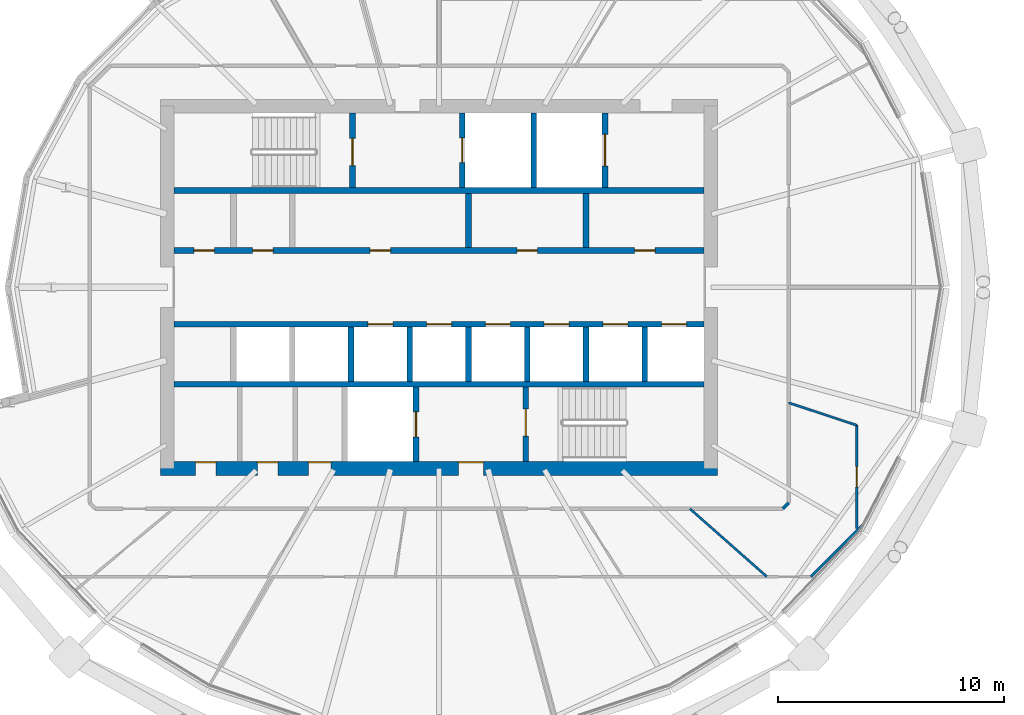
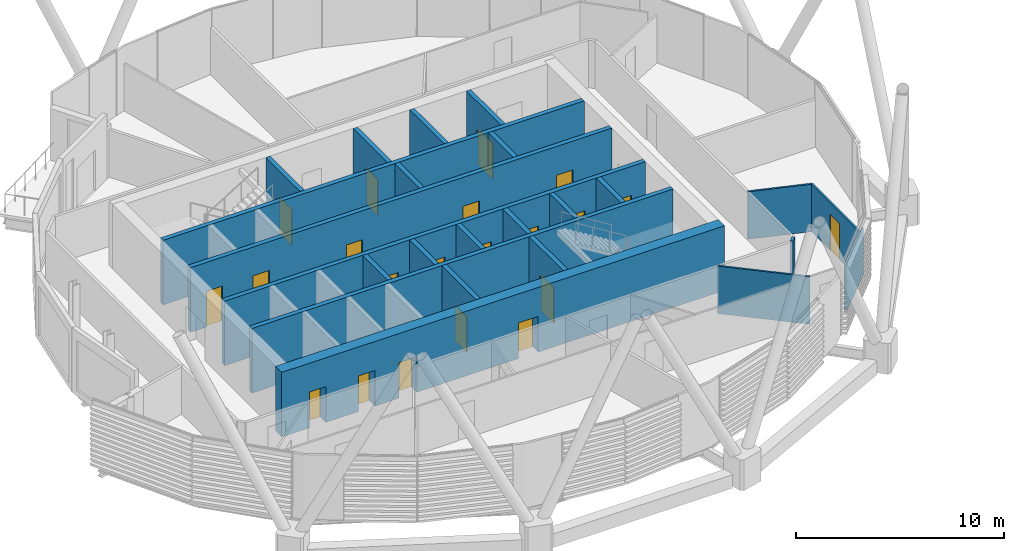
# One storey, part 22 of 37: 24 walls, 21 doors, 21 openings.
"""IFC4 building model written with IfcOpenShell, lengths in metres."""

from ifc_helpers import new_model, si_unit, direction, frame, frame_2d, origin, place, context, subcontext, project, spatial, rectangle, extrude, material, layer, layer_set, type_object, element, fill, save


model = new_model("IFC4")

# Units and contexts
model_context = context("Model", 3, precision=1e-05, world=origin(), true_north=direction((0.0, 1.0)))
body_context = subcontext(model_context, "Body", "Model", "MODEL_VIEW")
ifc_project = project(units=[si_unit("LENGTHUNIT", "METRE"), si_unit("AREAUNIT", "SQUARE_METRE"), si_unit("VOLUMEUNIT", "CUBIC_METRE"), si_unit("PLANEANGLEUNIT", "RADIAN"), si_unit("MASSUNIT", "GRAM", prefix="KILO")], contexts=[model_context])

# Site, building, storey
site_placement = place(None, origin())
site = spatial("IfcSite", under=ifc_project, at=site_placement, CompositionType="ELEMENT")
building_placement = place(site_placement, origin())
building = spatial("IfcBuilding", under=site, at=building_placement, Name="Rimbun Link Towers", CompositionType="ELEMENT")
storey_placement = place(building_placement, frame((0.0, 0.0, 170.300048828125)))
storey = spatial("IfcBuildingStorey", under=building, at=storey_placement, Name="L41", CompositionType="ELEMENT", Elevation=170.300048828125)

# Wall, openings, doors
ifc_material_1 = material(Name="Concrete C60/75", Category="concrete")
ifc_layer_1 = layer(ifc_material_1, 0.60009765625)
ifc_layer_set_1 = layer_set([ifc_layer_1], Name="Core shear wall 600")
wall_type_1 = type_object("IfcWallType", Name="Core shear wall 600", PredefinedType="SHEAR", material=ifc_layer_set_1)
wall_1_placement = place(storey_placement, frame((-44.050048828125, -8.0, 0.0), z_axis=(0.0, 0.0, 1.0), x_axis=(1.0, 0.0, 0.0)))
wall_1 = element("IfcWall", 1, at=wall_1_placement, inside=storey, type_object=wall_type_1, Name="L41 T1 core wall S", PredefinedType="SHEAR", context=body_context, shape_type="SweptSolid", body=[
    extrude(rectangle(XDim=24.60009765625, YDim=0.60009765625, at=frame_2d((12.300048828125, 0.0))), origin(), (0.0, 0.0, 1.0), 3.800048828125),
])
opening_1_placement = place(wall_1_placement, frame((13.14990234375, 0.0, 0.0)))
opening_1 = element("IfcOpeningElement", 2, at=opening_1_placement, cuts=wall_1, Name="Opening C1DCF01S", PredefinedType="OPENING", context=body_context, shape_type="SweptSolid", body=[
    extrude(rectangle(XDim=1.10009765625, YDim=2.10009765625, at=frame_2d((0.550048828125, 1.050048828125))), frame((0.0, 0.31005859375, 0.0), z_axis=(0.0, -1.0, 0.0), x_axis=(1.0, 0.0, 0.0)), (0.0, 0.0, 1.0), 0.6201171875),
])
opening_2_placement = place(wall_1_placement, frame((1.550048828125, 0.0, 0.0)))
opening_2 = element("IfcOpeningElement", 3, at=opening_2_placement, cuts=wall_1, Name="Opening C1DWC02S", PredefinedType="OPENING", context=body_context, shape_type="SweptSolid", body=[
    extrude(rectangle(XDim=0.89990234375, YDim=2.10009765625, at=frame_2d((0.449951171875, 1.050048828125))), frame((0.0, 0.31005859375, 0.0), z_axis=(0.0, -1.0, 0.0), x_axis=(1.0, 0.0, 0.0)), (0.0, 0.0, 1.0), 0.6201171875),
])
opening_3_placement = place(wall_1_placement, frame((4.27490234375, 0.0, 0.0)))
opening_3 = element("IfcOpeningElement", 4, at=opening_3_placement, cuts=wall_1, Name="Opening C1DWC03S", PredefinedType="OPENING", context=body_context, shape_type="SweptSolid", body=[
    extrude(rectangle(XDim=0.89990234375, YDim=2.10009765625, at=frame_2d((0.449951171875, 1.050048828125))), frame((0.0, 0.31005859375, 0.0), z_axis=(0.0, -1.0, 0.0), x_axis=(1.0, 0.0, 0.0)), (0.0, 0.0, 1.0), 0.6201171875),
])
opening_4_placement = place(wall_1_placement, frame((6.52490234375, 0.0, 0.0)))
opening_4 = element("IfcOpeningElement", 5, at=opening_4_placement, cuts=wall_1, Name="Opening C1DAW04S", PredefinedType="OPENING", context=body_context, shape_type="SweptSolid", body=[
    extrude(rectangle(XDim=1.0, YDim=2.10009765625, at=frame_2d((0.5, 1.050048828125))), frame((0.0, 0.31005859375, 0.0), z_axis=(0.0, -1.0, 0.0), x_axis=(1.0, 0.0, 0.0)), (0.0, 0.0, 1.0), 0.6201171875),
])
ifc_material_2 = material(Name="Timber", Category="wood")
door_type_1 = type_object("IfcDoorType", Name="Accessible WC door", OperationType="SINGLE_SWING_LEFT", PredefinedType="DOOR", material=ifc_material_2)
door_1_placement = place(opening_4_placement, origin())
door_1 = element("IfcDoor", 6, at=door_1_placement, inside=storey, type_object=door_type_1, Name="L41 T1 accessible wc door", OperationType="SINGLE_SWING_RIGHT", OverallHeight=2.10009765625, OverallWidth=1.0, PredefinedType="DOOR", context=body_context, shape_type="SweptSolid", body=[
    extrude(rectangle(XDim=1.0, YDim=2.10009765625, at=frame_2d((0.5, 1.050048828125))), frame((0.0, 0.2998046875, 0.0), z_axis=(0.0, -1.0, 0.0), x_axis=(1.0, 0.0, 0.0)), (0.0, 0.0, 1.0), 0.050048828125),
])
fill(opening_4, door_1)
ifc_material_3 = material(Name="Steel fire door set", Category="steel")
door_type_2 = type_object("IfcDoorType", Name="Core fire door single", OperationType="SINGLE_SWING_LEFT", PredefinedType="DOOR", material=ifc_material_3)
door_2_placement = place(opening_1_placement, origin())
door_2 = element("IfcDoor", 7, at=door_2_placement, inside=storey, type_object=door_type_2, Name="L41 T1 firefighting lobby s door", OperationType="SINGLE_SWING_RIGHT", OverallHeight=2.10009765625, OverallWidth=1.10009765625, PredefinedType="DOOR", context=body_context, shape_type="SweptSolid", body=[
    extrude(rectangle(XDim=1.10009765625, YDim=2.10009765625, at=frame_2d((0.550048828125, 1.050048828125))), frame((0.0, 0.2998046875, 0.0), z_axis=(0.0, -1.0, 0.0), x_axis=(1.0, 0.0, 0.0)), (0.0, 0.0, 1.0), 0.050048828125),
])
fill(opening_1, door_2)
ifc_material_4 = material(Name="Timber", Category="wood")
door_type_3 = type_object("IfcDoorType", Name="WC door", OperationType="SINGLE_SWING_LEFT", PredefinedType="DOOR", material=ifc_material_4)
door_3_placement = place(opening_2_placement, origin())
door_3 = element("IfcDoor", 8, at=door_3_placement, inside=storey, type_object=door_type_3, Name="L41 T1 male wc door", OperationType="SINGLE_SWING_LEFT", OverallHeight=2.10009765625, OverallWidth=0.89990234375, PredefinedType="DOOR", context=body_context, shape_type="SweptSolid", body=[
    extrude(rectangle(XDim=0.89990234375, YDim=2.10009765625, at=frame_2d((0.449951171875, 1.050048828125))), frame((0.0, 0.2998046875, 0.0), z_axis=(0.0, -1.0, 0.0), x_axis=(1.0, 0.0, 0.0)), (0.0, 0.0, 1.0), 0.050048828125),
])
fill(opening_2, door_3)
door_4_placement = place(opening_3_placement, origin())
door_4 = element("IfcDoor", 9, at=door_4_placement, inside=storey, type_object=door_type_3, Name="L41 T1 female wc door", OperationType="SINGLE_SWING_RIGHT", OverallHeight=2.10009765625, OverallWidth=0.89990234375, PredefinedType="DOOR", context=body_context, shape_type="SweptSolid", body=[
    extrude(rectangle(XDim=0.89990234375, YDim=2.10009765625, at=frame_2d((0.449951171875, 1.050048828125))), frame((0.0, 0.2998046875, 0.0), z_axis=(0.0, -1.0, 0.0), x_axis=(1.0, 0.0, 0.0)), (0.0, 0.0, 1.0), 0.050048828125),
])
fill(opening_3, door_4)

# Walls
ifc_material_5 = material(Name="Plasterboard on steel stud, mineral wool", Category="steel")
ifc_layer_2 = layer(ifc_material_5, 0.14990234375)
ifc_layer_set_2 = layer_set([ifc_layer_2], Name="Corridor wall EI 30 150 mm")
wall_type_2 = type_object("IfcWallType", Name="Corridor wall EI 30 150 mm", PredefinedType="PARTITIONING", material=ifc_layer_set_2)
wall_2_placement = place(storey_placement, frame((-16.576416015625, -9.77490234375, 0.0), z_axis=(0.0, 0.0, 1.0), x_axis=(0.707436973419, 0.706776434695, 0.0)))
element("IfcWall", 10, at=wall_2_placement, inside=storey, type_object=wall_type_2, Name="Corridor wall EI 30 150 mm", PredefinedType="PARTITIONING", context=body_context, shape_type="SweptSolid", body=[
    extrude(rectangle(XDim=0.36962890625, YDim=0.14990234375, at=frame_2d((0.184814453125, 0.0))), origin(), (0.0, 0.0, 1.0), 2.7890625),
])
ifc_material_6 = material(Name="Plasterboard on steel stud", Category="steel")
ifc_layer_3 = layer(ifc_material_6, 0.10009765625)
ifc_layer_set_3 = layer_set([ifc_layer_3], Name="Plasterboard partition 100 mm")
wall_type_3 = type_object("IfcWallType", Name="Plasterboard partition 100 mm", PredefinedType="PARTITIONING", material=ifc_layer_set_3)
wall_3_placement = place(storey_placement, frame((-17.28271484375, -12.77490234375, 0.0), z_axis=(0.0, 0.0, 1.0), x_axis=(-0.749592579508, 0.661899512575, 0.0)))
element("IfcWall", 11, at=wall_3_placement, inside=storey, type_object=wall_type_3, Name="Plasterboard partition 100 mm", PredefinedType="PARTITIONING", context=body_context, shape_type="SweptSolid", body=[
    extrude(rectangle(XDim=4.532470703125, YDim=0.10009765625, at=frame_2d((2.26611328125, 0.0))), origin(), (0.0, 0.0, 1.0), 2.7890625),
])
wall_4_placement = place(storey_placement, frame((-15.333740234375, -12.77490234375, 0.0), z_axis=(0.0, 0.0, 1.0), x_axis=(0.707144615627, 0.707068944721, 0.0)))
element("IfcWall", 12, at=wall_4_placement, inside=storey, type_object=wall_type_3, Name="Plasterboard partition 100 mm", PredefinedType="PARTITIONING", context=body_context, shape_type="SweptSolid", body=[
    extrude(rectangle(XDim=3.226318359375, YDim=0.10009765625, at=frame_2d((1.61328125, 0.0))), origin(), (0.0, 0.0, 1.0), 2.7890625),
])

# Wall, opening, door
wall_5_placement = place(storey_placement, frame((-13.31494140625, -6.08984375, 0.0), z_axis=(0.0, 0.0, 1.0), x_axis=(0.0, -1.0, 0.0)))
wall_5 = element("IfcWall", 13, at=wall_5_placement, inside=storey, type_object=wall_type_3, Name="Plasterboard partition 100 mm", PredefinedType="PARTITIONING", context=body_context, shape_type="SweptSolid", body=[
    extrude(rectangle(XDim=4.5537109375, YDim=0.10009765625, at=frame_2d((2.27685546875, 0.0))), origin(), (0.0, 0.0, 1.0), 2.7890625),
])
opening_5_placement = place(wall_5_placement, frame((1.826904296875, 0.0, 0.0)))
opening_5 = element("IfcOpeningElement", 14, at=opening_5_placement, cuts=wall_5, Name="Opening D04", PredefinedType="OPENING", context=body_context, shape_type="SweptSolid", body=[
    extrude(rectangle(XDim=0.89990234375, YDim=2.10009765625, at=frame_2d((0.449951171875, 1.050048828125))), frame((0.0, 0.06005859375, 0.0), z_axis=(0.0, -1.0, 0.0), x_axis=(1.0, 0.0, 0.0)), (0.0, 0.0, 1.0), 0.1201171875),
])
ifc_material_7 = material(Name="Timber door leaf", Category="wood")
door_type_4 = type_object("IfcDoorType", Name="Flush door 900", OperationType="NOTDEFINED", PredefinedType="DOOR", material=ifc_material_7)
door_5_placement = place(opening_5_placement, origin())
door_5 = element("IfcDoor", 15, at=door_5_placement, inside=storey, type_object=door_type_4, Name="Flush door 900 to Project room", OperationType="SINGLE_SWING_RIGHT", OverallHeight=2.10009765625, OverallWidth=0.89990234375, PredefinedType="DOOR", context=body_context, shape_type="SweptSolid", body=[
    extrude(rectangle(XDim=0.89990234375, YDim=2.10009765625, at=frame_2d((0.449951171875, 1.050048828125))), frame((0.0, 0.02490234375, 0.0), z_axis=(0.0, -1.0, 0.0), x_axis=(1.0, 0.0, 0.0)), (0.0, 0.0, 1.0), 0.050048828125),
])
fill(opening_5, door_5)

# Walls
wall_6_placement = place(storey_placement, frame((-13.31494140625, -6.08984375, 0.0), z_axis=(0.0, 0.0, 1.0), x_axis=(-0.949537544807, 0.313653393097, 0.0)))
element("IfcWall", 16, at=wall_6_placement, inside=storey, type_object=wall_type_3, Name="Plasterboard partition 100 mm", PredefinedType="PARTITIONING", context=body_context, shape_type="SweptSolid", body=[
    extrude(rectangle(XDim=3.159423828125, YDim=0.10009765625, at=frame_2d((1.57958984375, 0.0))), origin(), (0.0, 0.0, 1.0), 2.7890625),
])
ifc_material_8 = material(Name="Concrete C60/75", Category="concrete")
ifc_layer_4 = layer(ifc_material_8, 0.25)
ifc_layer_set_4 = layer_set([ifc_layer_4], Name="Shaft wall 250")
wall_type_4 = type_object("IfcWallType", Name="Shaft wall 250", PredefinedType="SHEAR", material=ifc_layer_set_4)
for number, where, z_axis, x_axis, name in (
    (17, (-43.449951171875, 4.27490234375, 0.0), (0.0, 0.0, 1.0), (1.0, 0.0, 0.0), "L41 T1 core wall BN"),
    (18, (-43.449951171875, -4.27490234375, 0.0), (0.0, 0.0, 1.0), (1.0, 0.0, 0.0), "L41 T1 core wall BS"),
):
    element("IfcWall", number, at=place(storey_placement, frame(where, z_axis=z_axis, x_axis=x_axis)), inside=storey, type_object=wall_type_4, Name=name, PredefinedType="SHEAR", context=body_context, shape_type="SweptSolid", body=[
        extrude(rectangle(XDim=23.39990234375, YDim=0.25, at=frame_2d((11.699951171875, 0.0))), origin(), (0.0, 0.0, 1.0), 3.800048828125),
    ])

# Wall, openings, doors
wall_7_placement = place(storey_placement, frame((-43.449951171875, 1.625, 0.0), z_axis=(0.0, 0.0, 1.0), x_axis=(1.0, 0.0, 0.0)))
wall_7 = element("IfcWall", 19, at=wall_7_placement, inside=storey, type_object=wall_type_4, Name="L41 T1 core wall FN", PredefinedType="SHEAR", context=body_context, shape_type="SweptSolid", body=[
    extrude(rectangle(XDim=23.39990234375, YDim=0.25, at=frame_2d((11.699951171875, 0.0))), origin(), (0.0, 0.0, 1.0), 3.800048828125),
])
opening_6_placement = place(wall_7_placement, frame((0.872314453125, 0.0, 0.0)))
opening_6 = element("IfcOpeningElement", 20, at=opening_6_placement, cuts=wall_7, Name="Opening C1DRS01FN", PredefinedType="OPENING", context=body_context, shape_type="SweptSolid", body=[
    extrude(rectangle(XDim=0.89990234375, YDim=2.10009765625, at=frame_2d((0.449951171875, 1.050048828125))), frame((0.0, 0.135009765625, 0.0), z_axis=(0.0, -1.0, 0.0), x_axis=(1.0, 0.0, 0.0)), (0.0, 0.0, 1.0), 0.27001953125),
])
opening_7_placement = place(wall_7_placement, frame((3.466796875, 0.0, 0.0)))
opening_7 = element("IfcOpeningElement", 21, at=opening_7_placement, cuts=wall_7, Name="Opening C1DRS02FN", PredefinedType="OPENING", context=body_context, shape_type="SweptSolid", body=[
    extrude(rectangle(XDim=0.89990234375, YDim=2.10009765625, at=frame_2d((0.449951171875, 1.050048828125))), frame((0.0, 0.135009765625, 0.0), z_axis=(0.0, -1.0, 0.0), x_axis=(1.0, 0.0, 0.0)), (0.0, 0.0, 1.0), 0.27001953125),
])
opening_8_placement = place(wall_7_placement, frame((8.655517578125, 0.0, 0.0)))
opening_8 = element("IfcOpeningElement", 22, at=opening_8_placement, cuts=wall_7, Name="Opening C1DRS03FN", PredefinedType="OPENING", context=body_context, shape_type="SweptSolid", body=[
    extrude(rectangle(XDim=0.89990234375, YDim=2.10009765625, at=frame_2d((0.449951171875, 1.050048828125))), frame((0.0, 0.135009765625, 0.0), z_axis=(0.0, -1.0, 0.0), x_axis=(1.0, 0.0, 0.0)), (0.0, 0.0, 1.0), 0.27001953125),
])
opening_9_placement = place(wall_7_placement, frame((15.1416015625, 0.0, 0.0)))
opening_9 = element("IfcOpeningElement", 23, at=opening_9_placement, cuts=wall_7, Name="Opening C1DRS04FN", PredefinedType="OPENING", context=body_context, shape_type="SweptSolid", body=[
    extrude(rectangle(XDim=0.89990234375, YDim=2.10009765625, at=frame_2d((0.449951171875, 1.050048828125))), frame((0.0, 0.135009765625, 0.0), z_axis=(0.0, -1.0, 0.0), x_axis=(1.0, 0.0, 0.0)), (0.0, 0.0, 1.0), 0.27001953125),
])
opening_10_placement = place(wall_7_placement, frame((20.33056640625, 0.0, 0.0)))
opening_10 = element("IfcOpeningElement", 24, at=opening_10_placement, cuts=wall_7, Name="Opening C1DRS05FN", PredefinedType="OPENING", context=body_context, shape_type="SweptSolid", body=[
    extrude(rectangle(XDim=0.89990234375, YDim=2.10009765625, at=frame_2d((0.449951171875, 1.050048828125))), frame((0.0, 0.135009765625, 0.0), z_axis=(0.0, -1.0, 0.0), x_axis=(1.0, 0.0, 0.0)), (0.0, 0.0, 1.0), 0.27001953125),
])
ifc_material_9 = material(Name="Steel fire door set", Category="steel")
door_type_5 = type_object("IfcDoorType", Name="Core riser door", OperationType="SINGLE_SWING_LEFT", PredefinedType="DOOR", material=ifc_material_9)
door_6_placement = place(opening_6_placement, origin())
door_6 = element("IfcDoor", 25, at=door_6_placement, inside=storey, type_object=door_type_5, Name="L41 T1 pantry door", OperationType="SINGLE_SWING_RIGHT", OverallHeight=2.10009765625, OverallWidth=0.89990234375, PredefinedType="DOOR", context=body_context, shape_type="SweptSolid", body=[
    extrude(rectangle(XDim=0.89990234375, YDim=2.10009765625, at=frame_2d((0.449951171875, 1.050048828125))), frame((0.0, 0.02490234375, 0.0), z_axis=(0.0, -1.0, 0.0), x_axis=(1.0, 0.0, 0.0)), (0.0, 0.0, 1.0), 0.050048828125),
])
fill(opening_6, door_6)
door_7_placement = place(opening_7_placement, origin())
door_7 = element("IfcDoor", 26, at=door_7_placement, inside=storey, type_object=door_type_5, Name="L41 T1 stationery store door", OperationType="SINGLE_SWING_LEFT", OverallHeight=2.10009765625, OverallWidth=0.89990234375, PredefinedType="DOOR", context=body_context, shape_type="SweptSolid", body=[
    extrude(rectangle(XDim=0.89990234375, YDim=2.10009765625, at=frame_2d((0.449951171875, 1.050048828125))), frame((0.0, 0.02490234375, 0.0), z_axis=(0.0, -1.0, 0.0), x_axis=(1.0, 0.0, 0.0)), (0.0, 0.0, 1.0), 0.050048828125),
])
fill(opening_7, door_7)
door_8_placement = place(opening_8_placement, origin())
door_8 = element("IfcDoor", 27, at=door_8_placement, inside=storey, type_object=door_type_5, Name="L41 T1 training store door", OperationType="SINGLE_SWING_LEFT", OverallHeight=2.10009765625, OverallWidth=0.89990234375, PredefinedType="DOOR", context=body_context, shape_type="SweptSolid", body=[
    extrude(rectangle(XDim=0.89990234375, YDim=2.10009765625, at=frame_2d((0.449951171875, 1.050048828125))), frame((0.0, 0.02490234375, 0.0), z_axis=(0.0, -1.0, 0.0), x_axis=(1.0, 0.0, 0.0)), (0.0, 0.0, 1.0), 0.050048828125),
])
fill(opening_8, door_8)
door_9_placement = place(opening_9_placement, origin())
door_9 = element("IfcDoor", 28, at=door_9_placement, inside=storey, type_object=door_type_5, Name="L41 T1 print room door", OperationType="SINGLE_SWING_LEFT", OverallHeight=2.10009765625, OverallWidth=0.89990234375, PredefinedType="DOOR", context=body_context, shape_type="SweptSolid", body=[
    extrude(rectangle(XDim=0.89990234375, YDim=2.10009765625, at=frame_2d((0.449951171875, 1.050048828125))), frame((0.0, 0.02490234375, 0.0), z_axis=(0.0, -1.0, 0.0), x_axis=(1.0, 0.0, 0.0)), (0.0, 0.0, 1.0), 0.050048828125),
])
fill(opening_9, door_9)
door_10_placement = place(opening_10_placement, origin())
door_10 = element("IfcDoor", 29, at=door_10_placement, inside=storey, type_object=door_type_5, Name="L41 T1 staff lounge door", OperationType="SINGLE_SWING_LEFT", OverallHeight=2.10009765625, OverallWidth=0.89990234375, PredefinedType="DOOR", context=body_context, shape_type="SweptSolid", body=[
    extrude(rectangle(XDim=0.89990234375, YDim=2.10009765625, at=frame_2d((0.449951171875, 1.050048828125))), frame((0.0, 0.02490234375, 0.0), z_axis=(0.0, -1.0, 0.0), x_axis=(1.0, 0.0, 0.0)), (0.0, 0.0, 1.0), 0.050048828125),
])
fill(opening_10, door_10)

wall_8_placement = place(storey_placement, frame((-43.449951171875, -1.625, 0.0), z_axis=(0.0, 0.0, 1.0), x_axis=(1.0, 0.0, 0.0)))
wall_8 = element("IfcWall", 30, at=wall_8_placement, inside=storey, type_object=wall_type_4, Name="L41 T1 core wall FS", PredefinedType="SHEAR", context=body_context, shape_type="SweptSolid", body=[
    extrude(rectangle(XDim=23.39990234375, YDim=0.25, at=frame_2d((11.699951171875, 0.0))), origin(), (0.0, 0.0, 1.0), 3.800048828125),
])
opening_11_placement = place(wall_8_placement, frame((8.5556640625, 0.0, 0.0)))
opening_11 = element("IfcOpeningElement", 31, at=opening_11_placement, cuts=wall_8, Name="Opening LD-T1-HR1", PredefinedType="OPENING", context=body_context, shape_type="SweptSolid", body=[
    extrude(rectangle(XDim=1.10009765625, YDim=2.10009765625, at=frame_2d((0.550048828125, 1.050048828125))), frame((0.0, 0.135009765625, 0.0), z_axis=(0.0, -1.0, 0.0), x_axis=(1.0, 0.0, 0.0)), (0.0, 0.0, 1.0), 0.27001953125),
])
opening_12_placement = place(wall_8_placement, frame((11.14990234375, 0.0, 0.0)))
opening_12 = element("IfcOpeningElement", 32, at=opening_12_placement, cuts=wall_8, Name="Opening LD-T1-HR2", PredefinedType="OPENING", context=body_context, shape_type="SweptSolid", body=[
    extrude(rectangle(XDim=1.10009765625, YDim=2.10009765625, at=frame_2d((0.550048828125, 1.050048828125))), frame((0.0, 0.135009765625, 0.0), z_axis=(0.0, -1.0, 0.0), x_axis=(1.0, 0.0, 0.0)), (0.0, 0.0, 1.0), 0.27001953125),
])
opening_13_placement = place(wall_8_placement, frame((13.744384765625, 0.0, 0.0)))
opening_13 = element("IfcOpeningElement", 33, at=opening_13_placement, cuts=wall_8, Name="Opening LD-T1-HR3", PredefinedType="OPENING", context=body_context, shape_type="SweptSolid", body=[
    extrude(rectangle(XDim=1.10009765625, YDim=2.10009765625, at=frame_2d((0.550048828125, 1.050048828125))), frame((0.0, 0.135009765625, 0.0), z_axis=(0.0, -1.0, 0.0), x_axis=(1.0, 0.0, 0.0)), (0.0, 0.0, 1.0), 0.27001953125),
])
opening_14_placement = place(wall_8_placement, frame((16.3388671875, 0.0, 0.0)))
opening_14 = element("IfcOpeningElement", 34, at=opening_14_placement, cuts=wall_8, Name="Opening LD-T1-HR4", PredefinedType="OPENING", context=body_context, shape_type="SweptSolid", body=[
    extrude(rectangle(XDim=1.10009765625, YDim=2.10009765625, at=frame_2d((0.550048828125, 1.050048828125))), frame((0.0, 0.135009765625, 0.0), z_axis=(0.0, -1.0, 0.0), x_axis=(1.0, 0.0, 0.0)), (0.0, 0.0, 1.0), 0.27001953125),
])
opening_15_placement = place(wall_8_placement, frame((18.933349609375, 0.0, 0.0)))
opening_15 = element("IfcOpeningElement", 35, at=opening_15_placement, cuts=wall_8, Name="Opening LD-T1-HR5", PredefinedType="OPENING", context=body_context, shape_type="SweptSolid", body=[
    extrude(rectangle(XDim=1.10009765625, YDim=2.10009765625, at=frame_2d((0.550048828125, 1.050048828125))), frame((0.0, 0.135009765625, 0.0), z_axis=(0.0, -1.0, 0.0), x_axis=(1.0, 0.0, 0.0)), (0.0, 0.0, 1.0), 0.27001953125),
])
opening_16_placement = place(wall_8_placement, frame((21.52783203125, 0.0, 0.0)))
opening_16 = element("IfcOpeningElement", 36, at=opening_16_placement, cuts=wall_8, Name="Opening LD-T1-HR6", PredefinedType="OPENING", context=body_context, shape_type="SweptSolid", body=[
    extrude(rectangle(XDim=1.10009765625, YDim=2.10009765625, at=frame_2d((0.550048828125, 1.050048828125))), frame((0.0, 0.135009765625, 0.0), z_axis=(0.0, -1.0, 0.0), x_axis=(1.0, 0.0, 0.0)), (0.0, 0.0, 1.0), 0.27001953125),
])
ifc_material_10 = material(Name="Stainless steel grade 316", Category="steel")
door_type_6 = type_object("IfcDoorType", Name="Lift landing door", OperationType="DOUBLE_DOOR_SLIDING", PredefinedType="DOOR", material=ifc_material_10)
door_11_placement = place(opening_11_placement, origin())
door_11 = element("IfcDoor", 37, at=door_11_placement, inside=storey, type_object=door_type_6, Name="L41 T1 lift HR1 landing door", OperationType="DOUBLE_DOOR_SLIDING", OverallHeight=2.10009765625, OverallWidth=1.10009765625, PredefinedType="DOOR", context=body_context, shape_type="SweptSolid", body=[
    extrude(rectangle(XDim=1.10009765625, YDim=2.10009765625, at=frame_2d((0.550048828125, 1.050048828125))), frame((0.0, 0.02490234375, 0.0), z_axis=(0.0, -1.0, 0.0), x_axis=(1.0, 0.0, 0.0)), (0.0, 0.0, 1.0), 0.050048828125),
])
fill(opening_11, door_11)
door_12_placement = place(opening_12_placement, origin())
door_12 = element("IfcDoor", 38, at=door_12_placement, inside=storey, type_object=door_type_6, Name="L41 T1 lift HR2 landing door", OperationType="DOUBLE_DOOR_SLIDING", OverallHeight=2.10009765625, OverallWidth=1.10009765625, PredefinedType="DOOR", context=body_context, shape_type="SweptSolid", body=[
    extrude(rectangle(XDim=1.10009765625, YDim=2.10009765625, at=frame_2d((0.550048828125, 1.050048828125))), frame((0.0, 0.02490234375, 0.0), z_axis=(0.0, -1.0, 0.0), x_axis=(1.0, 0.0, 0.0)), (0.0, 0.0, 1.0), 0.050048828125),
])
fill(opening_12, door_12)
door_13_placement = place(opening_13_placement, origin())
door_13 = element("IfcDoor", 39, at=door_13_placement, inside=storey, type_object=door_type_6, Name="L41 T1 lift HR3 landing door", OperationType="DOUBLE_DOOR_SLIDING", OverallHeight=2.10009765625, OverallWidth=1.10009765625, PredefinedType="DOOR", context=body_context, shape_type="SweptSolid", body=[
    extrude(rectangle(XDim=1.10009765625, YDim=2.10009765625, at=frame_2d((0.550048828125, 1.050048828125))), frame((0.0, 0.02490234375, 0.0), z_axis=(0.0, -1.0, 0.0), x_axis=(1.0, 0.0, 0.0)), (0.0, 0.0, 1.0), 0.050048828125),
])
fill(opening_13, door_13)
door_14_placement = place(opening_14_placement, origin())
door_14 = element("IfcDoor", 40, at=door_14_placement, inside=storey, type_object=door_type_6, Name="L41 T1 lift HR4 landing door", OperationType="DOUBLE_DOOR_SLIDING", OverallHeight=2.10009765625, OverallWidth=1.10009765625, PredefinedType="DOOR", context=body_context, shape_type="SweptSolid", body=[
    extrude(rectangle(XDim=1.10009765625, YDim=2.10009765625, at=frame_2d((0.550048828125, 1.050048828125))), frame((0.0, 0.02490234375, 0.0), z_axis=(0.0, -1.0, 0.0), x_axis=(1.0, 0.0, 0.0)), (0.0, 0.0, 1.0), 0.050048828125),
])
fill(opening_14, door_14)
door_15_placement = place(opening_15_placement, origin())
door_15 = element("IfcDoor", 41, at=door_15_placement, inside=storey, type_object=door_type_6, Name="L41 T1 lift HR5 landing door", OperationType="DOUBLE_DOOR_SLIDING", OverallHeight=2.10009765625, OverallWidth=1.10009765625, PredefinedType="DOOR", context=body_context, shape_type="SweptSolid", body=[
    extrude(rectangle(XDim=1.10009765625, YDim=2.10009765625, at=frame_2d((0.550048828125, 1.050048828125))), frame((0.0, 0.02490234375, 0.0), z_axis=(0.0, -1.0, 0.0), x_axis=(1.0, 0.0, 0.0)), (0.0, 0.0, 1.0), 0.050048828125),
])
fill(opening_15, door_15)
door_16_placement = place(opening_16_placement, origin())
door_16 = element("IfcDoor", 42, at=door_16_placement, inside=storey, type_object=door_type_6, Name="L41 T1 lift HR6 landing door", OperationType="DOUBLE_DOOR_SLIDING", OverallHeight=2.10009765625, OverallWidth=1.10009765625, PredefinedType="DOOR", context=body_context, shape_type="SweptSolid", body=[
    extrude(rectangle(XDim=1.10009765625, YDim=2.10009765625, at=frame_2d((0.550048828125, 1.050048828125))), frame((0.0, 0.02490234375, 0.0), z_axis=(0.0, -1.0, 0.0), x_axis=(1.0, 0.0, 0.0)), (0.0, 0.0, 1.0), 0.050048828125),
])
fill(opening_16, door_16)

# Walls
for number, where, z_axis, x_axis, name in (
    (43, (-30.452880859375, 1.75, 0.0), (0.0, 0.0, 1.0), (0.0, 1.0, 0.0), "L41 T1 core wall DN4"),
    (44, (-25.263916015625, 1.75, 0.0), (0.0, 0.0, 1.0), (0.0, 1.0, 0.0), "L41 T1 core wall DN6"),
    (45, (-35.6416015625, -4.14990234375, 0.0), (0.0, 0.0, 1.0), (0.0, 1.0, 0.0), "L41 T1 core wall DS2"),
    (46, (-33.047119140625, -4.14990234375, 0.0), (0.0, 0.0, 1.0), (0.0, 1.0, 0.0), "L41 T1 core wall DS3"),
    (47, (-30.452880859375, -4.14990234375, 0.0), (0.0, 0.0, 1.0), (0.0, 1.0, 0.0), "L41 T1 core wall DS4"),
    (48, (-27.8583984375, -4.14990234375, 0.0), (0.0, 0.0, 1.0), (0.0, 1.0, 0.0), "L41 T1 core wall DS5"),
    (49, (-25.263916015625, -4.14990234375, 0.0), (0.0, 0.0, 1.0), (0.0, 1.0, 0.0), "L41 T1 core wall DS6"),
    (50, (-22.66943359375, -4.14990234375, 0.0), (0.0, 0.0, 1.0), (0.0, 1.0, 0.0), "L41 T1 core wall DS7"),
):
    element("IfcWall", number, at=place(storey_placement, frame(where, z_axis=z_axis, x_axis=x_axis)), inside=storey, type_object=wall_type_4, Name=name, PredefinedType="SHEAR", context=body_context, shape_type="SweptSolid", body=[
        extrude(rectangle(XDim=2.39990234375, YDim=0.25, at=frame_2d((1.199951171875, 0.0))), origin(), (0.0, 0.0, 1.0), 3.800048828125),
    ])

# Wall, opening, door
wall_9_placement = place(storey_placement, frame((-35.574951171875, 4.39990234375, 0.0), z_axis=(0.0, 0.0, 1.0), x_axis=(0.0, 1.0, 0.0)))
wall_9 = element("IfcWall", 51, at=wall_9_placement, inside=storey, type_object=wall_type_4, Name="L41 T1 core wall A1", PredefinedType="SHEAR", context=body_context, shape_type="SweptSolid", body=[
    extrude(rectangle(XDim=3.300048828125, YDim=0.25, at=frame_2d((1.64990234375, 0.0))), origin(), (0.0, 0.0, 1.0), 3.800048828125),
])
opening_17_placement = place(wall_9_placement, frame((0.97509765625, 0.0, 0.0)))
opening_17 = element("IfcOpeningElement", 52, at=opening_17_placement, cuts=wall_9, Name="Opening C1DST01A1", PredefinedType="OPENING", context=body_context, shape_type="SweptSolid", body=[
    extrude(rectangle(XDim=1.199951171875, YDim=2.10009765625, at=frame_2d((0.60009765625, 1.050048828125))), frame((0.0, 0.135009765625, 0.0), z_axis=(0.0, -1.0, 0.0), x_axis=(1.0, 0.0, 0.0)), (0.0, 0.0, 1.0), 0.27001953125),
])
ifc_material_11 = material(Name="Steel fire door set", Category="steel")
door_type_7 = type_object("IfcDoorType", Name="Stair door", OperationType="SINGLE_SWING_LEFT", PredefinedType="DOOR", material=ifc_material_11)
door_17_placement = place(opening_17_placement, origin())
door_17 = element("IfcDoor", 53, at=door_17_placement, inside=storey, type_object=door_type_7, Name="L41 T1 stair a door", OperationType="SINGLE_SWING_RIGHT", OverallHeight=2.10009765625, OverallWidth=1.199951171875, PredefinedType="DOOR", context=body_context, shape_type="SweptSolid", body=[
    extrude(rectangle(XDim=1.199951171875, YDim=2.10009765625, at=frame_2d((0.60009765625, 1.050048828125))), frame((0.0, 0.02490234375, 0.0), z_axis=(0.0, -1.0, 0.0), x_axis=(1.0, 0.0, 0.0)), (0.0, 0.0, 1.0), 0.050048828125),
])
fill(opening_17, door_17)

wall_10_placement = place(storey_placement, frame((-30.72509765625, 4.39990234375, 0.0), z_axis=(0.0, 0.0, 1.0), x_axis=(0.0, 1.0, 0.0)))
wall_10 = element("IfcWall", 54, at=wall_10_placement, inside=storey, type_object=wall_type_4, Name="L41 T1 core wall A2", PredefinedType="SHEAR", context=body_context, shape_type="SweptSolid", body=[
    extrude(rectangle(XDim=3.300048828125, YDim=0.25, at=frame_2d((1.64990234375, 0.0))), origin(), (0.0, 0.0, 1.0), 3.800048828125),
])
opening_18_placement = place(wall_10_placement, frame((1.10009765625, 0.0, 0.0)))
opening_18 = element("IfcOpeningElement", 55, at=opening_18_placement, cuts=wall_10, Name="Opening LD-T1-FF1", PredefinedType="OPENING", context=body_context, shape_type="SweptSolid", body=[
    extrude(rectangle(XDim=1.10009765625, YDim=2.10009765625, at=frame_2d((0.550048828125, 1.050048828125))), frame((0.0, 0.135009765625, 0.0), z_axis=(0.0, -1.0, 0.0), x_axis=(1.0, 0.0, 0.0)), (0.0, 0.0, 1.0), 0.27001953125),
])
door_18_placement = place(opening_18_placement, origin())
door_18 = element("IfcDoor", 56, at=door_18_placement, inside=storey, type_object=door_type_6, Name="L41 T1 lift FF1 landing door", OperationType="DOUBLE_DOOR_SLIDING", OverallHeight=2.10009765625, OverallWidth=1.10009765625, PredefinedType="DOOR", context=body_context, shape_type="SweptSolid", body=[
    extrude(rectangle(XDim=1.10009765625, YDim=2.10009765625, at=frame_2d((0.550048828125, 1.050048828125))), frame((0.0, 0.02490234375, 0.0), z_axis=(0.0, -1.0, 0.0), x_axis=(1.0, 0.0, 0.0)), (0.0, 0.0, 1.0), 0.050048828125),
])
fill(opening_18, door_18)

# Wall
wall_11_placement = place(storey_placement, frame((-27.574951171875, 4.39990234375, 0.0), z_axis=(0.0, 0.0, 1.0), x_axis=(0.0, 1.0, 0.0)))
element("IfcWall", 57, at=wall_11_placement, inside=storey, type_object=wall_type_4, Name="L41 T1 core wall A3", PredefinedType="SHEAR", context=body_context, shape_type="SweptSolid", body=[
    extrude(rectangle(XDim=3.300048828125, YDim=0.25, at=frame_2d((1.64990234375, 0.0))), origin(), (0.0, 0.0, 1.0), 3.800048828125),
])

# Wall, opening, door
wall_12_placement = place(storey_placement, frame((-24.425048828125, 4.39990234375, 0.0), z_axis=(0.0, 0.0, 1.0), x_axis=(0.0, 1.0, 0.0)))
wall_12 = element("IfcWall", 58, at=wall_12_placement, inside=storey, type_object=wall_type_4, Name="L41 T1 core wall A4", PredefinedType="SHEAR", context=body_context, shape_type="SweptSolid", body=[
    extrude(rectangle(XDim=3.300048828125, YDim=0.25, at=frame_2d((1.64990234375, 0.0))), origin(), (0.0, 0.0, 1.0), 3.800048828125),
])
opening_19_placement = place(wall_12_placement, frame((0.949951171875, 0.0, 0.0)))
opening_19 = element("IfcOpeningElement", 59, at=opening_19_placement, cuts=wall_12, Name="Opening LD-T1-GL1", PredefinedType="OPENING", context=body_context, shape_type="SweptSolid", body=[
    extrude(rectangle(XDim=1.39990234375, YDim=2.10009765625, at=frame_2d((0.699951171875, 1.050048828125))), frame((0.0, 0.135009765625, 0.0), z_axis=(0.0, -1.0, 0.0), x_axis=(1.0, 0.0, 0.0)), (0.0, 0.0, 1.0), 0.27001953125),
])
ifc_material_12 = material(Name="Stainless steel grade 316", Category="steel")
door_type_8 = type_object("IfcDoorType", Name="Goods lift landing door", OperationType="DOUBLE_DOOR_SLIDING", PredefinedType="DOOR", material=ifc_material_12)
door_19_placement = place(opening_19_placement, origin())
door_19 = element("IfcDoor", 60, at=door_19_placement, inside=storey, type_object=door_type_8, Name="L41 T1 lift GL1 landing door", OperationType="DOUBLE_DOOR_SLIDING", OverallHeight=2.10009765625, OverallWidth=1.39990234375, PredefinedType="DOOR", context=body_context, shape_type="SweptSolid", body=[
    extrude(rectangle(XDim=1.39990234375, YDim=2.10009765625, at=frame_2d((0.699951171875, 1.050048828125))), frame((0.0, 0.02490234375, 0.0), z_axis=(0.0, -1.0, 0.0), x_axis=(1.0, 0.0, 0.0)), (0.0, 0.0, 1.0), 0.050048828125),
])
fill(opening_19, door_19)

wall_13_placement = place(storey_placement, frame((-27.925048828125, -4.39990234375, 0.0), z_axis=(0.0, 0.0, 1.0), x_axis=(0.0, -1.0, 0.0)))
wall_13 = element("IfcWall", 61, at=wall_13_placement, inside=storey, type_object=wall_type_4, Name="L41 T1 core wall B1", PredefinedType="SHEAR", context=body_context, shape_type="SweptSolid", body=[
    extrude(rectangle(XDim=3.300048828125, YDim=0.25, at=frame_2d((1.64990234375, 0.0))), origin(), (0.0, 0.0, 1.0), 3.800048828125),
])
opening_20_placement = place(wall_13_placement, frame((0.97509765625, 0.0, 0.0)))
opening_20 = element("IfcOpeningElement", 62, at=opening_20_placement, cuts=wall_13, Name="Opening C1DST01B1", PredefinedType="OPENING", context=body_context, shape_type="SweptSolid", body=[
    extrude(rectangle(XDim=1.199951171875, YDim=2.10009765625, at=frame_2d((0.60009765625, 1.050048828125))), frame((0.0, 0.135009765625, 0.0), z_axis=(0.0, -1.0, 0.0), x_axis=(1.0, 0.0, 0.0)), (0.0, 0.0, 1.0), 0.27001953125),
])
door_20_placement = place(opening_20_placement, origin())
door_20 = element("IfcDoor", 63, at=door_20_placement, inside=storey, type_object=door_type_7, Name="L41 T1 stair b door", OperationType="SINGLE_SWING_RIGHT", OverallHeight=2.10009765625, OverallWidth=1.199951171875, PredefinedType="DOOR", context=body_context, shape_type="SweptSolid", body=[
    extrude(rectangle(XDim=1.199951171875, YDim=2.10009765625, at=frame_2d((0.60009765625, 1.050048828125))), frame((0.0, 0.02490234375, 0.0), z_axis=(0.0, -1.0, 0.0), x_axis=(1.0, 0.0, 0.0)), (0.0, 0.0, 1.0), 0.050048828125),
])
fill(opening_20, door_20)

wall_14_placement = place(storey_placement, frame((-32.77490234375, -4.39990234375, 0.0), z_axis=(0.0, 0.0, 1.0), x_axis=(0.0, -1.0, 0.0)))
wall_14 = element("IfcWall", 64, at=wall_14_placement, inside=storey, type_object=wall_type_4, Name="L41 T1 core wall B2", PredefinedType="SHEAR", context=body_context, shape_type="SweptSolid", body=[
    extrude(rectangle(XDim=3.300048828125, YDim=0.25, at=frame_2d((1.64990234375, 0.0))), origin(), (0.0, 0.0, 1.0), 3.800048828125),
])
opening_21_placement = place(wall_14_placement, frame((1.10009765625, 0.0, 0.0)))
opening_21 = element("IfcOpeningElement", 65, at=opening_21_placement, cuts=wall_14, Name="Opening LD-T1-FF2", PredefinedType="OPENING", context=body_context, shape_type="SweptSolid", body=[
    extrude(rectangle(XDim=1.10009765625, YDim=2.10009765625, at=frame_2d((0.550048828125, 1.050048828125))), frame((0.0, 0.135009765625, 0.0), z_axis=(0.0, -1.0, 0.0), x_axis=(1.0, 0.0, 0.0)), (0.0, 0.0, 1.0), 0.27001953125),
])
door_21_placement = place(opening_21_placement, origin())
door_21 = element("IfcDoor", 66, at=door_21_placement, inside=storey, type_object=door_type_6, Name="L41 T1 lift FF2 landing door", OperationType="DOUBLE_DOOR_SLIDING", OverallHeight=2.10009765625, OverallWidth=1.10009765625, PredefinedType="DOOR", context=body_context, shape_type="SweptSolid", body=[
    extrude(rectangle(XDim=1.10009765625, YDim=2.10009765625, at=frame_2d((0.550048828125, 1.050048828125))), frame((0.0, 0.02490234375, 0.0), z_axis=(0.0, -1.0, 0.0), x_axis=(1.0, 0.0, 0.0)), (0.0, 0.0, 1.0), 0.050048828125),
])
fill(opening_21, door_21)

save(model, "model.ifc")
